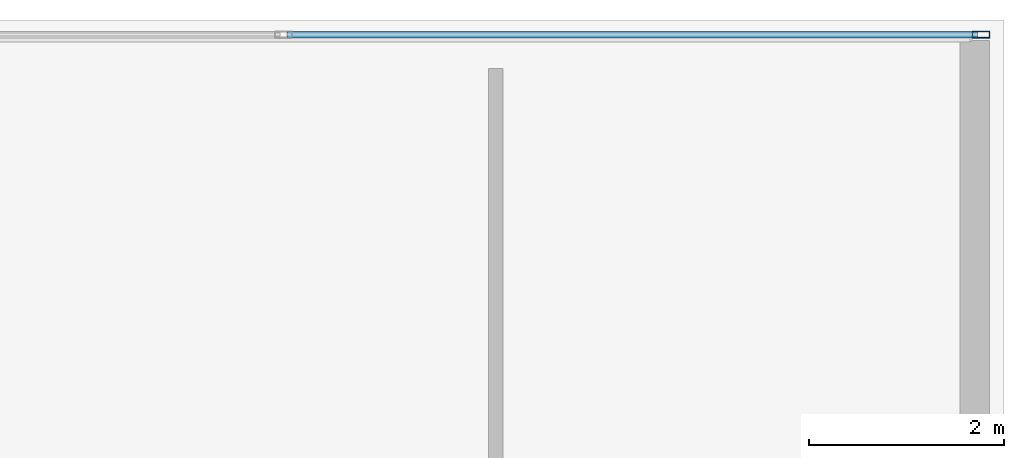
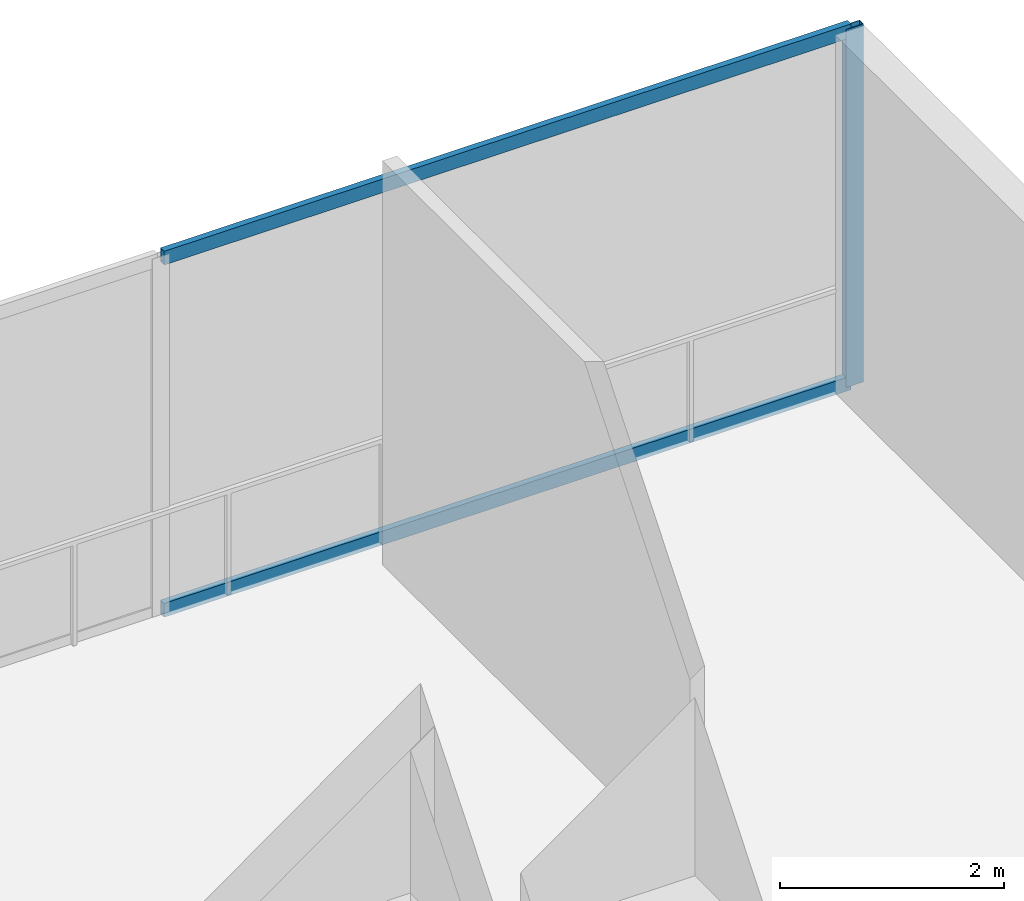
# One storey, part 7 of 15: 3 members, 1 element without a shape of its own.
"""IFC4 building model written with IfcOpenShell, lengths in metres."""

import ifcopenshell
import ifcopenshell.guid

model = None  # the IFC model being written
_history = None  # IfcOwnerHistory: only IFC2X3 demands one
_inside = {}  # id of a spatial element -> (the spatial element, [elements in it])
_under = {}  # id of a project, library or spatial element -> (it, [spatial elements below it])
_declared = {}  # id of a project -> (the project, [libraries it declares])
_typed = {}  # id of a type object -> (the type object, [elements of that type])
_made_of = {}  # id of a material, layer set ... -> (it, [elements and type objects made of it])


def new_model(schema):
    """Start an empty IFC model of exactly this schema.

    Asked for "IFC4X3", IfcOpenShell would pick the latest addendum, in which some entities
    have other attributes; the version numbers below select the first issue.
    IFC2X3 requires an IfcOwnerHistory on every rooted entity: one is made here for all.
    """
    global model, _history
    if schema == "IFC4X3":
        model = ifcopenshell.file(schema_version=(4, 3, 0, 0))
    else:
        model = ifcopenshell.file(schema=schema)
    _inside.clear()
    _under.clear()
    _declared.clear()
    _typed.clear()
    _made_of.clear()
    _history = None
    if model.schema == "IFC2X3":
        org = make("IfcOrganization", Name="unknown")
        user = make(
            "IfcPersonAndOrganization",
            ThePerson=make("IfcPerson", FamilyName="unknown"),
            TheOrganization=org,
        )
        app = make(
            "IfcApplication",
            ApplicationDeveloper=org,
            Version="unknown",
            ApplicationFullName="unknown",
            ApplicationIdentifier="unknown",
        )
        _history = make(
            "IfcOwnerHistory",
            OwningUser=user,
            OwningApplication=app,
            ChangeAction="ADDED",
            CreationDate=0,
        )
    return model


def make(cls, **values):
    """One entity of the class cls with the attributes given. An attribute that is None is left unset."""
    return model.create_entity(
        cls, **{name: value for name, value in values.items() if value is not None}
    )


def rooted(cls, **values):
    """An entity with a GlobalId (a new one), such as an element, a storey or a relation."""
    return make(cls, GlobalId=ifcopenshell.guid.new(), OwnerHistory=_history, **values)


def si_unit(unit_type, name, prefix=None):
    """IfcSIUnit, for example si_unit("LENGTHUNIT", "METRE", prefix="MILLI")."""
    return make("IfcSIUnit", UnitType=unit_type, Prefix=prefix, Name=name)


def assignment(units):
    """IfcUnitAssignment: the units of a project."""
    return None if units is None else make("IfcUnitAssignment", Units=units)


def point(xyz):
    """IfcCartesianPoint."""
    return None if xyz is None else make("IfcCartesianPoint", Coordinates=xyz)


def direction(xyz):
    """IfcDirection."""
    return None if xyz is None else make("IfcDirection", DirectionRatios=xyz)


def frame(location, z_axis=None, x_axis=None):
    """IfcAxis2Placement3D, a coordinate frame: its origin and axes. An axis left out is left unset."""
    return make(
        "IfcAxis2Placement3D",
        Location=point(location),
        Axis=direction(z_axis),
        RefDirection=direction(x_axis),
    )


def frame_2d(location, x_axis=None):
    """IfcAxis2Placement2D, a coordinate frame in the plane: its origin and x axis."""
    return make(
        "IfcAxis2Placement2D", Location=point(location), RefDirection=direction(x_axis)
    )


def origin():
    """The frame at (0, 0, 0) with its axes left unset."""
    return frame((0.0, 0.0, 0.0))


def origin_2d():
    """The frame at (0, 0) in the plane with its x axis left unset."""
    return frame_2d((0.0, 0.0))


def place(relative_to, where):
    """IfcLocalPlacement: puts the frame where relative to a parent placement (None: the world)."""
    return make(
        "IfcLocalPlacement", PlacementRelTo=relative_to, RelativePlacement=where
    )


def context(
    kind, dimensions, precision=None, world=None, true_north=None, identifier=None
):
    """IfcGeometricRepresentationContext, for example the 3D "Model" context."""
    return make(
        "IfcGeometricRepresentationContext",
        ContextIdentifier=identifier,
        ContextType=kind,
        CoordinateSpaceDimension=dimensions,
        Precision=precision,
        WorldCoordinateSystem=world,
        TrueNorth=true_north,
    )


def subcontext(parent, identifier, kind, view, scale=None):
    """IfcGeometricRepresentationSubContext, for example "Body" below "Model"."""
    return make(
        "IfcGeometricRepresentationSubContext",
        ContextIdentifier=identifier,
        ContextType=kind,
        ParentContext=parent,
        TargetScale=scale,
        TargetView=view,
    )


def project(units=None, contexts=None):
    """IfcProject with its units and contexts."""
    return rooted(
        "IfcProject",
        Name="project",
        RepresentationContexts=contexts,
        UnitsInContext=assignment(units),
    )


def spatial(cls, under=None, at=None, **own):
    """A site, building, storey or space (cls), placed at a placement, below another one or the project."""
    s = rooted(cls, ObjectPlacement=at, **own)
    if under is not None:
        _under.setdefault(under.id(), (under, []))[1].append(s)
    return s


def profile(cls, at=None, kind="AREA", **sizes):
    """A parametric profile (cls). Its sizes go by their IFC names, for example OverallWidth=200.0."""
    return make(cls, ProfileType=kind, Position=at, **sizes)


def hollow_rectangle(**sizes):
    """IfcRectangleHollowProfileDef."""
    return profile("IfcRectangleHollowProfileDef", **sizes)


def extrude(swept, where, along, depth):
    """IfcExtrudedAreaSolid: the profile swept, set in the frame where, extruded along a direction by depth."""
    return make(
        "IfcExtrudedAreaSolid",
        SweptArea=swept,
        Position=where,
        ExtrudedDirection=direction(along),
        Depth=depth,
    )


def shape(context_of_items, identifier, shape_type, items):
    """IfcShapeRepresentation: the items that make up one representation, for example the "Body"."""
    return make(
        "IfcShapeRepresentation",
        ContextOfItems=context_of_items,
        RepresentationIdentifier=identifier,
        RepresentationType=shape_type,
        Items=items,
    )


def source(mapping_origin, context_of_items, identifier, shape_type, items):
    """IfcRepresentationMap: a shape defined once, which mapped items show again and again."""
    return make(
        "IfcRepresentationMap",
        MappingOrigin=mapping_origin,
        MappedRepresentation=shape(context_of_items, identifier, shape_type, items),
    )


def transform(
    local_origin,
    x_axis=None,
    y_axis=None,
    z_axis=None,
    scale=None,
    scale2=None,
    scale3=None,
    uniform=True,
):
    """IfcCartesianTransformationOperator3D, or its non-uniform kind. x_axis, y_axis, z_axis: its Axis1, 2, 3."""
    if uniform:
        return make(
            "IfcCartesianTransformationOperator3D",
            Axis1=direction(x_axis),
            Axis2=direction(y_axis),
            LocalOrigin=point(local_origin),
            Scale=scale,
            Axis3=direction(z_axis),
        )
    return make(
        "IfcCartesianTransformationOperator3DnonUniform",
        Axis1=direction(x_axis),
        Axis2=direction(y_axis),
        LocalOrigin=point(local_origin),
        Scale=scale,
        Axis3=direction(z_axis),
        Scale2=scale2,
        Scale3=scale3,
    )


def mapped(mapping_source, mapping_target):
    """IfcMappedItem: shows the shape of a source again, moved by a transform."""
    return make(
        "IfcMappedItem", MappingSource=mapping_source, MappingTarget=mapping_target
    )


def material(Name=None, Category=None):
    """IfcMaterial."""
    return make("IfcMaterial", Name=Name, Category=Category)


def layer(
    of_material, thickness, ventilated=None, Name=None, Category=None, Priority=None
):
    """IfcMaterialLayer: one layer of a wall or slab, of a material (None: an air gap)."""
    return make(
        "IfcMaterialLayer",
        Material=of_material,
        LayerThickness=thickness,
        IsVentilated=ventilated,
        Name=Name,
        Category=Category,
        Priority=Priority,
    )


def layer_set(layers, Name=None):
    """IfcMaterialLayerSet."""
    return make("IfcMaterialLayerSet", MaterialLayers=layers, LayerSetName=Name)


def material_profile(
    of_material, cross_section, Name=None, Category=None, Priority=None
):
    """IfcMaterialProfile: a cross section and its material."""
    return make(
        "IfcMaterialProfile",
        Name=Name,
        Material=of_material,
        Profile=cross_section,
        Priority=Priority,
        Category=Category,
    )


def profile_set(profiles, Name=None, composite=None):
    """IfcMaterialProfileSet."""
    return make(
        "IfcMaterialProfileSet",
        Name=Name,
        MaterialProfiles=profiles,
        CompositeProfile=composite,
    )


def made_of(thing, what):
    """Note that an element or type object is made of a material, layer set ...; save() writes the relation."""
    if what is not None:
        _made_of.setdefault(what.id(), (what, []))[1].append(thing)
    return thing


def type_object(cls, material=None, **own):
    """A type object (cls), such as IfcWallType, which elements share."""
    return made_of(rooted(cls, **own), material)


def element(
    cls,
    number,
    at=None,
    inside=None,
    cuts=None,
    type_object=None,
    material=None,
    context=None,
    identifier="Body",
    shape_type=None,
    held_by="IfcProductDefinitionShape",
    body=None,
    shapes=None,
    **own,
):
    """One element of the class cls, such as IfcWall. Its Tag is "e" and its number.

    at: its placement. inside: the storey or other place that contains it. cuts: it is an
    opening in that element (IfcRelVoidsElement). A single representation is given by context,
    identifier, shape_type and body (its items); several are given by shapes. held_by: the class
    of the entity that holds the representations. save() writes the other relations.
    """
    e = rooted(cls, Tag="e%d" % number, ObjectPlacement=at, **own)
    if body is not None:
        shapes = [shape(context, identifier, shape_type, body)]
    if shapes is not None:
        e.Representation = make(held_by, Representations=shapes)
    if inside is not None:
        _inside.setdefault(inside.id(), (inside, []))[1].append(e)
    if cuts is not None:
        rooted(
            "IfcRelVoidsElement", RelatingBuildingElement=cuts, RelatedOpeningElement=e
        )
    if type_object is not None:
        _typed.setdefault(type_object.id(), (type_object, []))[1].append(e)
    return made_of(e, material)


def aggregate(whole, parts):
    """IfcRelAggregates: a whole, such as a stair, and the parts it consists of."""
    return rooted("IfcRelAggregates", RelatingObject=whole, RelatedObjects=parts)


def save(model, path):
    """Write the relations noted so far, then the file.

    IfcRelAggregates (storeys below a building ...), IfcRelContainedInSpatialStructure (elements
    in a storey), IfcRelDefinesByType, IfcRelAssociatesMaterial and IfcRelDeclares: one each for
    every whole, place, type object, material and project.
    """
    for whole, parts in _under.values():
        aggregate(whole, parts)
    for where, things in _inside.values():
        rooted(
            "IfcRelContainedInSpatialStructure",
            RelatedElements=things,
            RelatingStructure=where,
        )
    for kind, things in _typed.values():
        rooted("IfcRelDefinesByType", RelatedObjects=things, RelatingType=kind)
    for what, things in _made_of.values():
        rooted("IfcRelAssociatesMaterial", RelatedObjects=things, RelatingMaterial=what)
    for by, libraries in _declared.values():
        rooted("IfcRelDeclares", RelatingContext=by, RelatedDefinitions=libraries)
    model.write(path)


model = new_model("IFC4")

# Units and contexts
model_context = context("Model", 3, precision=1e-05, world=origin(), true_north=direction((0.0, 1.0)))
body_context = subcontext(model_context, "Body", "Model", "MODEL_VIEW")
ifc_project = project(units=[si_unit("LENGTHUNIT", "METRE"), si_unit("AREAUNIT", "SQUARE_METRE"), si_unit("VOLUMEUNIT", "CUBIC_METRE"), si_unit("PLANEANGLEUNIT", "RADIAN"), si_unit("MASSUNIT", "GRAM", prefix="KILO")], contexts=[model_context])

# Site, building, storey
site_placement = place(None, origin())
site = spatial("IfcSite", under=ifc_project, at=site_placement, CompositionType="ELEMENT")
building_placement = place(site_placement, origin())
building = spatial("IfcBuilding", under=site, at=building_placement, Name="Sumidabori Civic Tower", CompositionType="ELEMENT")
storey_placement = place(building_placement, frame((0.0, 0.0, 18.949951171875)))
storey = spatial("IfcBuildingStorey", under=building, at=storey_placement, Name="L04", CompositionType="ELEMENT", Elevation=18.949951171875)

# Curtain wall, members
ifc_material = material(Name="Anodised Bronze Aluminium AW-6063-T6", Category="aluminium")
ifc_layer = layer(ifc_material, 0.179931640625, Name="Anodised Bronze Aluminium AW-6063-T6")
ifc_layer_set = layer_set([ifc_layer], Name="Anodised Bronze Aluminium AW-6063-T6")
curtain_wall_type = type_object("IfcCurtainWallType", Name="CW-SYS-1", PredefinedType="NOTDEFINED", material=ifc_layer_set)
curtain_wall_placement = place(storey_placement, origin())
curtain_wall = element("IfcCurtainWall", 1, at=curtain_wall_placement, inside=storey, type_object=curtain_wall_type, Name="Curtain Wall CW:L04:NORTH", PredefinedType="NOTDEFINED")
ifc_material_profile_1 = material_profile(ifc_material, hollow_rectangle(XDim=0.070068359375, YDim=0.179931640625, WallThickness=0.006103515625, at=origin_2d()), Name="ALU MULLION 180x70")
ifc_profile_set_1 = profile_set([ifc_material_profile_1], Name="Anodised Bronze Aluminium AW-6063-T6")
member_type_1 = type_object("IfcMemberType", Name="CW-MUL-180", PredefinedType="MULLION", material=ifc_profile_set_1)
shared_shape_1 = source(origin(), body_context, "Body", "SweptSolid", [
    extrude(hollow_rectangle(XDim=0.070068359375, YDim=0.179931640625, WallThickness=0.006103515625, at=origin_2d()), origin(), (0.0, 0.0, 1.0), 3.91015625),
])
member_1_placement = place(storey_placement, frame((28.764892578125, 25.64990234375, 0.0), z_axis=(0.0, 0.0, 1.0), x_axis=(0.0, 1.0, 0.0)))
member_1 = element("IfcMember", 2, at=member_1_placement, type_object=member_type_1, Name="CW-1 mullion 9", PredefinedType="MULLION", context=body_context, shape_type="MappedRepresentation", body=[
    mapped(shared_shape_1, transform((0.0, 0.0, 0.0), x_axis=(1.0, 0.0, 0.0), y_axis=(0.0, 1.0, 0.0), z_axis=(0.0, 0.0, 1.0), scale=1.0)),
])
ifc_material_profile_2 = material_profile(ifc_material, hollow_rectangle(XDim=0.06494140625, YDim=0.14990234375, WallThickness=0.0048828125, at=origin_2d()), Name="ALU TRANSOM 150x65")
ifc_profile_set_2 = profile_set([ifc_material_profile_2], Name="Anodised Bronze Aluminium AW-6063-T6")
member_type_2 = type_object("IfcMemberType", Name="CW-TRN-150", PredefinedType="USERDEFINED", material=ifc_profile_set_2)
shared_shape_2 = source(origin(), body_context, "Body", "SweptSolid", [
    extrude(hollow_rectangle(XDim=0.06494140625, YDim=0.14990234375, WallThickness=0.0048828125, at=origin_2d()), origin(), (0.0, 0.0, 1.0), 7.094970703125),
])
member_2_placement = place(storey_placement, frame((21.635009765625, 25.64990234375, 0.032470703125), z_axis=(1.0, 0.0, 0.0), x_axis=(0.0, 1.0, 0.0)))
member_2 = element("IfcMember", 3, at=member_2_placement, type_object=member_type_2, Name="CW-1 transom 8.1", ObjectType="TRANSOM", PredefinedType="USERDEFINED", context=body_context, shape_type="MappedRepresentation", body=[
    mapped(shared_shape_2, transform((0.0, 0.0, 0.0), x_axis=(1.0, 0.0, 0.0), y_axis=(0.0, 1.0, 0.0), z_axis=(0.0, 0.0, 1.0), scale=1.0)),
])
member_3_placement = place(storey_placement, frame((21.635009765625, 25.64990234375, 3.87744140625), z_axis=(1.0, 0.0, 0.0), x_axis=(0.0, 1.0, 0.0)))
member_3 = element("IfcMember", 4, at=member_3_placement, type_object=member_type_2, Name="CW-1 transom 8.2", ObjectType="TRANSOM", PredefinedType="USERDEFINED", context=body_context, shape_type="MappedRepresentation", body=[
    mapped(shared_shape_2, transform((0.0, 0.0, 0.0), x_axis=(1.0, 0.0, 0.0), y_axis=(0.0, 1.0, 0.0), z_axis=(0.0, 0.0, 1.0), scale=1.0)),
])
aggregate(curtain_wall, [member_1, member_2, member_3])

save(model, "model.ifc")
